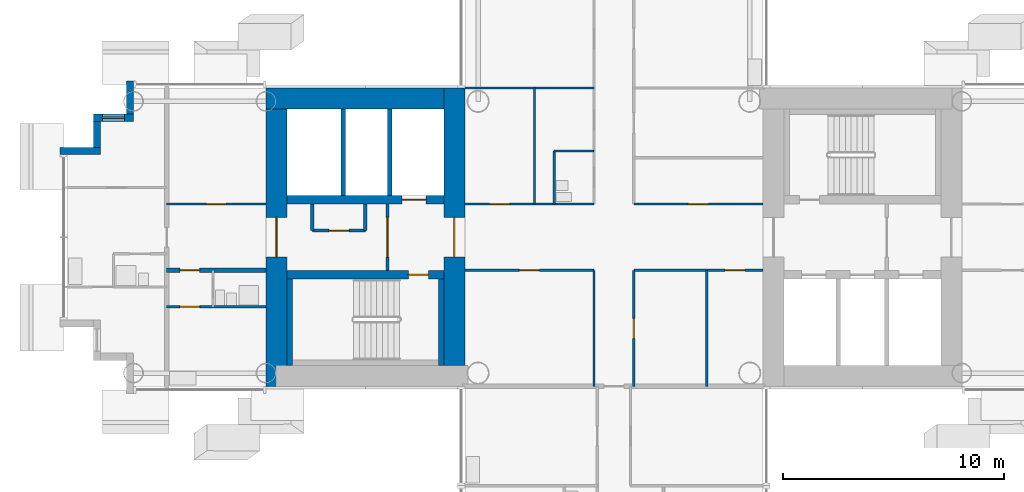
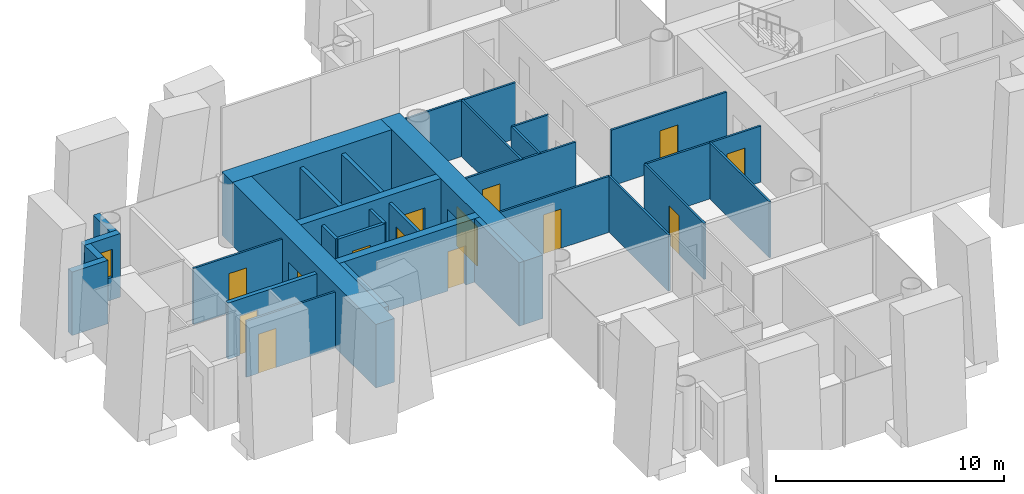
# One storey, part 9 of 21: 31 walls, 14 doors, 1 window, 15 openings.
"""IFC4 building model written with IfcOpenShell, lengths in metres."""

from ifc_helpers import new_model, si_unit, direction, frame, frame_2d, origin, place, context, subcontext, project, spatial, rectangle, extrude, material, layer, layer_set, type_object, element, fill, save


model = new_model("IFC4")

# Units and contexts
model_context = context("Model", 3, precision=1e-05, world=origin(), true_north=direction((0.0, 1.0)))
body_context = subcontext(model_context, "Body", "Model", "MODEL_VIEW")
ifc_project = project(units=[si_unit("LENGTHUNIT", "METRE"), si_unit("AREAUNIT", "SQUARE_METRE"), si_unit("VOLUMEUNIT", "CUBIC_METRE"), si_unit("PLANEANGLEUNIT", "RADIAN"), si_unit("MASSUNIT", "GRAM", prefix="KILO")], contexts=[model_context])

# Site, building, storey
site_placement = place(None, origin())
site = spatial("IfcSite", under=ifc_project, at=site_placement, CompositionType="ELEMENT")
building_placement = place(site_placement, origin())
building = spatial("IfcBuilding", under=site, at=building_placement, Name="Ipe Terrace Towers", CompositionType="ELEMENT")
storey_placement = place(building_placement, frame((0.0, 0.0, 86.800048828125)))
storey = spatial("IfcBuildingStorey", under=building, at=storey_placement, Name="L23", CompositionType="ELEMENT", Elevation=86.800048828125)

# Wall
ifc_material_1 = material(Name="Concrete C40/50 with buff precast cladding", Category="concrete")
ifc_layer_1 = layer(ifc_material_1, 0.320068359375)
ifc_layer_set_1 = layer_set([ifc_layer_1], Name="BUFF CLADDING WALL 320")
wall_type_1 = type_object("IfcWallType", Name="BUFF CLADDING WALL 320", PredefinedType="STANDARD", material=ifc_layer_set_1)
wall_1_placement = place(storey_placement, frame((-57.909912109375, 7.070068359375, -0.300048828125), z_axis=(0.0, 0.0, 1.0), x_axis=(0.0, -1.0, 0.0)))
element("IfcWall", 1, at=wall_1_placement, inside=storey, type_object=wall_type_1, Name="T1-W-L23-47a wall", PredefinedType="STANDARD", context=body_context, shape_type="SweptSolid", body=[
    extrude(rectangle(XDim=1.5, YDim=0.320068359375, at=frame_2d((0.75, 0.0))), origin(), (0.0, 0.0, 1.0), 3.39990234375),
])

# Wall, opening, window
wall_2_placement = place(storey_placement, frame((-57.75, 5.409912109375, -0.300048828125), z_axis=(0.0, 0.0, 1.0), x_axis=(-1.0, 0.0, 0.0)))
wall_2 = element("IfcWall", 2, at=wall_2_placement, inside=storey, type_object=wall_type_1, Name="T1-W-L23-48a wall", PredefinedType="STANDARD", context=body_context, shape_type="SweptSolid", body=[
    extrude(rectangle(XDim=1.820068359375, YDim=0.320068359375, at=frame_2d((0.91015625, 0.0))), origin(), (0.0, 0.0, 1.0), 3.39990234375),
])
opening_1_placement = place(wall_2_placement, frame((0.409912109375, 0.0, 1.199951171875)))
opening_1 = element("IfcOpeningElement", 3, at=opening_1_placement, cuts=wall_2, Name="Opening T1-W-05-L23-04", PredefinedType="OPENING", context=body_context, shape_type="SweptSolid", body=[
    extrude(rectangle(XDim=1.0, YDim=1.5, at=frame_2d((0.5, 0.75))), frame((0.0, 0.169921875, 0.0), z_axis=(0.0, -1.0, 0.0), x_axis=(1.0, 0.0, 0.0)), (0.0, 0.0, 1.0), 0.340087890625),
])
ifc_material_2 = material(Name="Glass, clear laminated", Category="glass")
window_type = type_object("IfcWindowType", Name="DWELLING WINDOW 1000 x 1500", PartitioningType="SINGLE_PANEL", PredefinedType="WINDOW", material=ifc_material_2)
window_placement = place(opening_1_placement, origin())
window = element("IfcWindow", 4, at=window_placement, inside=storey, type_object=window_type, Name="W-05 window", OverallHeight=1.5, OverallWidth=1.0, PartitioningType="SINGLE_PANEL", PredefinedType="WINDOW", context=body_context, shape_type="SweptSolid", body=[
    extrude(rectangle(XDim=1.0, YDim=1.5, at=frame_2d((0.5, 0.75))), frame((0.0, 0.030029296875, 0.0), z_axis=(0.0, -1.0, 0.0), x_axis=(1.0, 0.0, 0.0)), (0.0, 0.0, 1.0), 0.06005859375),
])
fill(opening_1, window)

# Walls
wall_3_placement = place(storey_placement, frame((-59.409912109375, 5.25, -0.300048828125), z_axis=(0.0, 0.0, 1.0), x_axis=(0.0, -1.0, 0.0)))
element("IfcWall", 5, at=wall_3_placement, inside=storey, type_object=wall_type_1, Name="T1-W-L23-49a wall", PredefinedType="STANDARD", context=body_context, shape_type="SweptSolid", body=[
    extrude(rectangle(XDim=1.179931640625, YDim=0.320068359375, at=frame_2d((0.58984375, 0.0))), origin(), (0.0, 0.0, 1.0), 3.39990234375),
])
wall_4_placement = place(storey_placement, frame((-59.25, 3.909912109375, -0.300048828125), z_axis=(0.0, 0.0, 1.0), x_axis=(-1.0, 0.0, 0.0)))
element("IfcWall", 6, at=wall_4_placement, inside=storey, type_object=wall_type_1, Name="T1-W-L23-50a wall", PredefinedType="STANDARD", context=body_context, shape_type="SweptSolid", body=[
    extrude(rectangle(XDim=1.820068359375, YDim=0.320068359375, at=frame_2d((0.91015625, 0.0))), origin(), (0.0, 0.0, 1.0), 3.39990234375),
])
ifc_material_3 = material(Name="Gypsum board partition", Category="plasterboard")
ifc_layer_2 = layer(ifc_material_3, 0.10009765625)
ifc_layer_set_2 = layer_set([ifc_layer_2], Name="Gypsum board partition 100 mm")
wall_type_2 = type_object("IfcWallType", Name="Gypsum board partition 100 mm", PredefinedType="PARTITIONING", material=ifc_layer_set_2)
wall_5_placement = place(storey_placement, frame((-39.60009765625, 1.5, 0.0), z_axis=(0.0, 0.0, 1.0), x_axis=(0.0, 1.0, 0.0)))
element("IfcWall", 7, at=wall_5_placement, inside=storey, type_object=wall_type_2, Name="Gypsum board partition T1 L23 W04", PredefinedType="PARTITIONING", context=body_context, shape_type="SweptSolid", body=[
    extrude(rectangle(XDim=5.25, YDim=0.10009765625, at=frame_2d((2.625, 0.0))), origin(), (0.0, 0.0, 1.0), 3.0),
])
wall_6_placement = place(storey_placement, frame((-38.699951171875, 1.5, 0.0), z_axis=(0.0, 0.0, 1.0), x_axis=(0.0, 1.0, 0.0)))
element("IfcWall", 8, at=wall_6_placement, inside=storey, type_object=wall_type_2, Name="Gypsum board partition T1 L23 W05", PredefinedType="PARTITIONING", context=body_context, shape_type="SweptSolid", body=[
    extrude(rectangle(XDim=2.39990234375, YDim=0.10009765625, at=frame_2d((1.199951171875, 0.0))), origin(), (0.0, 0.0, 1.0), 3.0),
])
wall_7_placement = place(storey_placement, frame((-36.89990234375, -6.75, 0.0), z_axis=(0.0, 0.0, 1.0), x_axis=(0.0, 1.0, 0.0)))
element("IfcWall", 9, at=wall_7_placement, inside=storey, type_object=wall_type_2, Name="Gypsum board partition T1 L23 W07", PredefinedType="PARTITIONING", context=body_context, shape_type="SweptSolid", body=[
    extrude(rectangle(XDim=5.25, YDim=0.10009765625, at=frame_2d((2.625, 0.0))), origin(), (0.0, 0.0, 1.0), 3.0),
])

# Wall, opening, door
wall_8_placement = place(storey_placement, frame((-35.10009765625, -6.75, 0.0), z_axis=(0.0, 0.0, 1.0), x_axis=(0.0, 1.0, 0.0)))
wall_8 = element("IfcWall", 10, at=wall_8_placement, inside=storey, type_object=wall_type_2, Name="Gypsum board partition T1 L23 W11", PredefinedType="PARTITIONING", context=body_context, shape_type="SweptSolid", body=[
    extrude(rectangle(XDim=5.25, YDim=0.10009765625, at=frame_2d((2.625, 0.0))), origin(), (0.0, 0.0, 1.0), 3.0),
])
opening_2_placement = place(wall_8_placement, frame((2.175048828125, 0.0, 0.0)))
opening_2 = element("IfcOpeningElement", 11, at=opening_2_placement, cuts=wall_8, Name="Opening T1-Z2C-07", PredefinedType="OPENING", context=body_context, shape_type="SweptSolid", body=[
    extrude(rectangle(XDim=0.89990234375, YDim=2.10009765625, at=frame_2d((0.449951171875, 1.050048828125))), frame((0.0, 0.06005859375, 0.0), z_axis=(0.0, -1.0, 0.0), x_axis=(1.0, 0.0, 0.0)), (0.0, 0.0, 1.0), 0.1201171875),
])
ifc_material_4 = material(Name="Timber door leaf", Category="wood")
door_type_1 = type_object("IfcDoorType", Name="Lounge door 900 x 2100", OperationType="NOTDEFINED", PredefinedType="DOOR", material=ifc_material_4)
door_1_placement = place(opening_2_placement, origin())
door_1 = element("IfcDoor", 12, at=door_1_placement, inside=storey, type_object=door_type_1, Name="Lounge door T1-Z2C-07", OperationType="SINGLE_SWING_RIGHT", OverallHeight=2.10009765625, OverallWidth=0.89990234375, PredefinedType="DOOR", context=body_context, shape_type="SweptSolid", body=[
    extrude(rectangle(XDim=0.89990234375, YDim=2.10009765625, at=frame_2d((0.449951171875, 1.050048828125))), frame((0.0, 0.02490234375, 0.0), z_axis=(0.0, -1.0, 0.0), x_axis=(1.0, 0.0, 0.0)), (0.0, 0.0, 1.0), 0.050048828125),
])
fill(opening_2, door_1)

# Wall
wall_9_placement = place(storey_placement, frame((-31.800048828125, -6.75, 0.0), z_axis=(0.0, 0.0, 1.0), x_axis=(0.0, 1.0, 0.0)))
element("IfcWall", 13, at=wall_9_placement, inside=storey, type_object=wall_type_2, Name="Gypsum board partition T1 L23 W14", PredefinedType="PARTITIONING", context=body_context, shape_type="SweptSolid", body=[
    extrude(rectangle(XDim=5.25, YDim=0.10009765625, at=frame_2d((2.625, 0.0))), origin(), (0.0, 0.0, 1.0), 3.0),
])

# Wall, opening, door
wall_10_placement = place(storey_placement, frame((-56.25, -3.14990234375, 0.0), z_axis=(0.0, 0.0, 1.0), x_axis=(1.0, 0.0, 0.0)))
wall_10 = element("IfcWall", 14, at=wall_10_placement, inside=storey, type_object=wall_type_2, Name="Gypsum board partition T1 L23 W22", PredefinedType="PARTITIONING", context=body_context, shape_type="SweptSolid", body=[
    extrude(rectangle(XDim=4.5, YDim=0.10009765625, at=frame_2d((2.25, 0.0))), origin(), (0.0, 0.0, 1.0), 3.0),
])
opening_3_placement = place(wall_10_placement, frame((0.60009765625, 0.0, 0.0)))
opening_3 = element("IfcOpeningElement", 15, at=opening_3_placement, cuts=wall_10, Name="Opening T1-Z2C-26", PredefinedType="OPENING", context=body_context, shape_type="SweptSolid", body=[
    extrude(rectangle(XDim=0.89990234375, YDim=2.10009765625, at=frame_2d((0.449951171875, 1.050048828125))), frame((0.0, 0.06005859375, 0.0), z_axis=(0.0, -1.0, 0.0), x_axis=(1.0, 0.0, 0.0)), (0.0, 0.0, 1.0), 0.1201171875),
])
ifc_material_5 = material(Name="Timber door leaf", Category="wood")
door_type_2 = type_object("IfcDoorType", Name="Bedroom door 900 x 2100", OperationType="NOTDEFINED", PredefinedType="DOOR", material=ifc_material_5)
door_2_placement = place(opening_3_placement, origin())
door_2 = element("IfcDoor", 16, at=door_2_placement, inside=storey, type_object=door_type_2, Name="Bedroom door T1-Z2C-26", OperationType="SINGLE_SWING_LEFT", OverallHeight=2.10009765625, OverallWidth=0.89990234375, PredefinedType="DOOR", context=body_context, shape_type="SweptSolid", body=[
    extrude(rectangle(XDim=0.89990234375, YDim=2.10009765625, at=frame_2d((0.449951171875, 1.050048828125))), frame((0.0, 0.02490234375, 0.0), z_axis=(0.0, -1.0, 0.0), x_axis=(1.0, 0.0, 0.0)), (0.0, 0.0, 1.0), 0.050048828125),
])
fill(opening_3, door_2)

wall_11_placement = place(storey_placement, frame((-42.75, -1.5, 0.0), z_axis=(0.0, 0.0, 1.0), x_axis=(1.0, 0.0, 0.0)))
wall_11 = element("IfcWall", 17, at=wall_11_placement, inside=storey, type_object=wall_type_2, Name="Gypsum board partition T1 L23 W24", PredefinedType="PARTITIONING", context=body_context, shape_type="SweptSolid", body=[
    extrude(rectangle(XDim=5.85009765625, YDim=0.10009765625, at=frame_2d((2.925048828125, 0.0))), origin(), (0.0, 0.0, 1.0), 3.0),
])
opening_4_placement = place(wall_11_placement, frame((2.47509765625, 0.0, 0.0)))
opening_4 = element("IfcOpeningElement", 18, at=opening_4_placement, cuts=wall_11, Name="Opening T1-Z2C-06", PredefinedType="OPENING", context=body_context, shape_type="SweptSolid", body=[
    extrude(rectangle(XDim=0.89990234375, YDim=2.10009765625, at=frame_2d((0.449951171875, 1.050048828125))), frame((0.0, 0.06005859375, 0.0), z_axis=(0.0, -1.0, 0.0), x_axis=(1.0, 0.0, 0.0)), (0.0, 0.0, 1.0), 0.1201171875),
])
door_3_placement = place(opening_4_placement, origin())
door_3 = element("IfcDoor", 19, at=door_3_placement, inside=storey, type_object=door_type_1, Name="Lounge door T1-Z2C-06", OperationType="SINGLE_SWING_LEFT", OverallHeight=2.10009765625, OverallWidth=0.89990234375, PredefinedType="DOOR", context=body_context, shape_type="SweptSolid", body=[
    extrude(rectangle(XDim=0.89990234375, YDim=2.10009765625, at=frame_2d((0.449951171875, 1.050048828125))), frame((0.0, 0.02490234375, 0.0), z_axis=(0.0, -1.0, 0.0), x_axis=(1.0, 0.0, 0.0)), (0.0, 0.0, 1.0), 0.050048828125),
])
fill(opening_4, door_3)

wall_12_placement = place(storey_placement, frame((-35.10009765625, -1.5, 0.0), z_axis=(0.0, 0.0, 1.0), x_axis=(1.0, 0.0, 0.0)))
wall_12 = element("IfcWall", 20, at=wall_12_placement, inside=storey, type_object=wall_type_2, Name="Gypsum board partition T1 L23 W25", PredefinedType="PARTITIONING", context=body_context, shape_type="SweptSolid", body=[
    extrude(rectangle(XDim=5.85009765625, YDim=0.10009765625, at=frame_2d((2.925048828125, 0.0))), origin(), (0.0, 0.0, 1.0), 3.0),
])
opening_5_placement = place(wall_12_placement, frame((4.125, 0.0, 0.0)))
opening_5 = element("IfcOpeningElement", 21, at=opening_5_placement, cuts=wall_12, Name="Opening T1-Z2C-08", PredefinedType="OPENING", context=body_context, shape_type="SweptSolid", body=[
    extrude(rectangle(XDim=0.89990234375, YDim=2.10009765625, at=frame_2d((0.449951171875, 1.050048828125))), frame((0.0, 0.06005859375, 0.0), z_axis=(0.0, -1.0, 0.0), x_axis=(1.0, 0.0, 0.0)), (0.0, 0.0, 1.0), 0.1201171875),
])
door_4_placement = place(opening_5_placement, origin())
door_4 = element("IfcDoor", 22, at=door_4_placement, inside=storey, type_object=door_type_1, Name="Lounge door T1-Z2C-08", OperationType="SINGLE_SWING_RIGHT", OverallHeight=2.10009765625, OverallWidth=0.89990234375, PredefinedType="DOOR", context=body_context, shape_type="SweptSolid", body=[
    extrude(rectangle(XDim=0.89990234375, YDim=2.10009765625, at=frame_2d((0.449951171875, 1.050048828125))), frame((0.0, 0.02490234375, 0.0), z_axis=(0.0, -1.0, 0.0), x_axis=(1.0, 0.0, 0.0)), (0.0, 0.0, 1.0), 0.050048828125),
])
fill(opening_5, door_4)

wall_13_placement = place(storey_placement, frame((-56.25, 1.5, 0.0), z_axis=(0.0, 0.0, 1.0), x_axis=(1.0, 0.0, 0.0)))
wall_13 = element("IfcWall", 23, at=wall_13_placement, inside=storey, type_object=wall_type_2, Name="Gypsum board partition T1 L23 W29", PredefinedType="PARTITIONING", context=body_context, shape_type="SweptSolid", body=[
    extrude(rectangle(XDim=4.5, YDim=0.10009765625, at=frame_2d((2.25, 0.0))), origin(), (0.0, 0.0, 1.0), 3.0),
])
opening_6_placement = place(wall_13_placement, frame((1.800048828125, 0.0, 0.0)))
opening_6 = element("IfcOpeningElement", 24, at=opening_6_placement, cuts=wall_13, Name="Opening T1-Z2C-28", PredefinedType="OPENING", context=body_context, shape_type="SweptSolid", body=[
    extrude(rectangle(XDim=0.89990234375, YDim=2.10009765625, at=frame_2d((0.449951171875, 1.050048828125))), frame((0.0, 0.06005859375, 0.0), z_axis=(0.0, -1.0, 0.0), x_axis=(1.0, 0.0, 0.0)), (0.0, 0.0, 1.0), 0.1201171875),
])
door_5_placement = place(opening_6_placement, origin())
door_5 = element("IfcDoor", 25, at=door_5_placement, inside=storey, type_object=door_type_1, Name="Lounge door T1-Z2C-28", OperationType="SINGLE_SWING_LEFT", OverallHeight=2.10009765625, OverallWidth=0.89990234375, PredefinedType="DOOR", context=body_context, shape_type="SweptSolid", body=[
    extrude(rectangle(XDim=0.89990234375, YDim=2.10009765625, at=frame_2d((0.449951171875, 1.050048828125))), frame((0.0, 0.02490234375, 0.0), z_axis=(0.0, -1.0, 0.0), x_axis=(1.0, 0.0, 0.0)), (0.0, 0.0, 1.0), 0.050048828125),
])
fill(opening_6, door_5)

wall_14_placement = place(storey_placement, frame((-42.75, 1.5, 0.0), z_axis=(0.0, 0.0, 1.0), x_axis=(1.0, 0.0, 0.0)))
wall_14 = element("IfcWall", 26, at=wall_14_placement, inside=storey, type_object=wall_type_2, Name="Gypsum board partition T1 L23 W30", PredefinedType="PARTITIONING", context=body_context, shape_type="SweptSolid", body=[
    extrude(rectangle(XDim=5.85009765625, YDim=0.10009765625, at=frame_2d((2.925048828125, 0.0))), origin(), (0.0, 0.0, 1.0), 3.0),
])
opening_7_placement = place(wall_14_placement, frame((1.125, 0.0, 0.0)))
opening_7 = element("IfcOpeningElement", 27, at=opening_7_placement, cuts=wall_14, Name="Opening T1-Z2C-05", PredefinedType="OPENING", context=body_context, shape_type="SweptSolid", body=[
    extrude(rectangle(XDim=0.89990234375, YDim=2.10009765625, at=frame_2d((0.449951171875, 1.050048828125))), frame((0.0, 0.06005859375, 0.0), z_axis=(0.0, -1.0, 0.0), x_axis=(1.0, 0.0, 0.0)), (0.0, 0.0, 1.0), 0.1201171875),
])
door_6_placement = place(opening_7_placement, origin())
door_6 = element("IfcDoor", 28, at=door_6_placement, inside=storey, type_object=door_type_1, Name="Lounge door T1-Z2C-05", OperationType="SINGLE_SWING_RIGHT", OverallHeight=2.10009765625, OverallWidth=0.89990234375, PredefinedType="DOOR", context=body_context, shape_type="SweptSolid", body=[
    extrude(rectangle(XDim=0.89990234375, YDim=2.10009765625, at=frame_2d((0.449951171875, 1.050048828125))), frame((0.0, 0.02490234375, 0.0), z_axis=(0.0, -1.0, 0.0), x_axis=(1.0, 0.0, 0.0)), (0.0, 0.0, 1.0), 0.050048828125),
])
fill(opening_7, door_6)

wall_15_placement = place(storey_placement, frame((-35.10009765625, 1.5, 0.0), z_axis=(0.0, 0.0, 1.0), x_axis=(1.0, 0.0, 0.0)))
wall_15 = element("IfcWall", 29, at=wall_15_placement, inside=storey, type_object=wall_type_2, Name="Gypsum board partition T1 L23 W31", PredefinedType="PARTITIONING", context=body_context, shape_type="SweptSolid", body=[
    extrude(rectangle(XDim=5.85009765625, YDim=0.10009765625, at=frame_2d((2.925048828125, 0.0))), origin(), (0.0, 0.0, 1.0), 3.0),
])
opening_8_placement = place(wall_15_placement, frame((2.47509765625, 0.0, 0.0)))
opening_8 = element("IfcOpeningElement", 30, at=opening_8_placement, cuts=wall_15, Name="Opening T1-Z2C-02", PredefinedType="OPENING", context=body_context, shape_type="SweptSolid", body=[
    extrude(rectangle(XDim=0.89990234375, YDim=2.10009765625, at=frame_2d((0.449951171875, 1.050048828125))), frame((0.0, 0.06005859375, 0.0), z_axis=(0.0, -1.0, 0.0), x_axis=(1.0, 0.0, 0.0)), (0.0, 0.0, 1.0), 0.1201171875),
])
door_7_placement = place(opening_8_placement, origin())
door_7 = element("IfcDoor", 31, at=door_7_placement, inside=storey, type_object=door_type_1, Name="Lounge door T1-Z2C-02", OperationType="SINGLE_SWING_LEFT", OverallHeight=2.10009765625, OverallWidth=0.89990234375, PredefinedType="DOOR", context=body_context, shape_type="SweptSolid", body=[
    extrude(rectangle(XDim=0.89990234375, YDim=2.10009765625, at=frame_2d((0.449951171875, 1.050048828125))), frame((0.0, 0.02490234375, 0.0), z_axis=(0.0, -1.0, 0.0), x_axis=(1.0, 0.0, 0.0)), (0.0, 0.0, 1.0), 0.050048828125),
])
fill(opening_8, door_7)

# Walls
wall_16_placement = place(storey_placement, frame((-38.699951171875, 3.89990234375, 0.0), z_axis=(0.0, 0.0, 1.0), x_axis=(1.0, 0.0, 0.0)))
element("IfcWall", 32, at=wall_16_placement, inside=storey, type_object=wall_type_2, Name="Gypsum board partition T1 L23 W35", PredefinedType="PARTITIONING", context=body_context, shape_type="SweptSolid", body=[
    extrude(rectangle(XDim=1.800048828125, YDim=0.10009765625, at=frame_2d((0.89990234375, 0.0))), origin(), (0.0, 0.0, 1.0), 3.0),
])
wall_17_placement = place(storey_placement, frame((-42.85009765625, 6.75, 0.0), z_axis=(0.0, 0.0, 1.0), x_axis=(1.0, 0.0, 0.0)))
element("IfcWall", 33, at=wall_17_placement, inside=storey, type_object=wall_type_2, Name="Gypsum board partition T1 L23 W36", PredefinedType="PARTITIONING", context=body_context, shape_type="SweptSolid", body=[
    extrude(rectangle(XDim=5.9501953125, YDim=0.10009765625, at=frame_2d((2.97509765625, 0.0))), origin(), (0.0, 0.0, 1.0), 3.0),
])

# Wall, opening, door
ifc_material_6 = material(Name="Gypsum board partition", Category="plasterboard")
ifc_layer_3 = layer(ifc_material_6, 0.14990234375)
ifc_layer_set_3 = layer_set([ifc_layer_3], Name="Gypsum board partition 150 mm")
wall_type_3 = type_object("IfcWallType", Name="Gypsum board partition 150 mm", PredefinedType="PARTITIONING", material=ifc_layer_set_3)
wall_18_placement = place(storey_placement, frame((-46.25, 1.5, 0.0), z_axis=(0.0, 0.0, 1.0), x_axis=(0.0, -1.0, 0.0)))
wall_18 = element("IfcWall", 34, at=wall_18_placement, inside=storey, type_object=wall_type_3, Name="Gypsum board partition T1 L23 t1c2-lobby-wall", PredefinedType="PARTITIONING", context=body_context, shape_type="SweptSolid", body=[
    extrude(rectangle(XDim=3.0, YDim=0.14990234375, at=frame_2d((1.5, 0.0))), origin(), (0.0, 0.0, 1.0), 3.0),
])
opening_9_placement = place(wall_18_placement, frame((0.60009765625, 0.0, 0.0)))
opening_9 = element("IfcOpeningElement", 35, at=opening_9_placement, cuts=wall_18, Name="Opening T1C2-VD", PredefinedType="OPENING", context=body_context, shape_type="SweptSolid", body=[
    extrude(rectangle(XDim=1.800048828125, YDim=2.10009765625, at=frame_2d((0.89990234375, 1.050048828125))), frame((0.0, 0.0849609375, 0.0), z_axis=(0.0, -1.0, 0.0), x_axis=(1.0, 0.0, 0.0)), (0.0, 0.0, 1.0), 0.169921875),
])
ifc_material_7 = material(Name="Fire-rated timber door leaf", Category="wood")
door_type_3 = type_object("IfcDoorType", Name="Lobby door 1800 x 2100 FD60", OperationType="NOTDEFINED", PredefinedType="DOOR", material=ifc_material_7)
door_8_placement = place(opening_9_placement, origin())
door_8 = element("IfcDoor", 36, at=door_8_placement, inside=storey, type_object=door_type_3, Name="Lobby door T1C2-VD", OperationType="SINGLE_SWING_LEFT", OverallHeight=2.10009765625, OverallWidth=1.800048828125, PredefinedType="DOOR", context=body_context, shape_type="SweptSolid", body=[
    extrude(rectangle(XDim=1.800048828125, YDim=2.10009765625, at=frame_2d((0.89990234375, 1.050048828125))), frame((0.0, 0.02490234375, 0.0), z_axis=(0.0, -1.0, 0.0), x_axis=(1.0, 0.0, 0.0)), (0.0, 0.0, 1.0), 0.050048828125),
])
fill(opening_9, door_8)

wall_19_placement = place(storey_placement, frame((-47.25, 0.300048828125, 0.0), z_axis=(0.0, 0.0, 1.0), x_axis=(-1.0, 0.0, 0.0)))
wall_19 = element("IfcWall", 37, at=wall_19_placement, inside=storey, type_object=wall_type_3, Name="Gypsum board partition T1 L23 t1c2-cup-s-f", PredefinedType="PARTITIONING", context=body_context, shape_type="SweptSolid", body=[
    extrude(rectangle(XDim=2.39990234375, YDim=0.14990234375, at=frame_2d((1.199951171875, 0.0))), origin(), (0.0, 0.0, 1.0), 3.0),
])
opening_10_placement = place(wall_19_placement, frame((0.75, 0.0, 0.0)))
opening_10 = element("IfcOpeningElement", 38, at=opening_10_placement, cuts=wall_19, Name="Opening T1C2-SC", PredefinedType="OPENING", context=body_context, shape_type="SweptSolid", body=[
    extrude(rectangle(XDim=0.89990234375, YDim=2.10009765625, at=frame_2d((0.449951171875, 1.050048828125))), frame((0.0, 0.0849609375, 0.0), z_axis=(0.0, -1.0, 0.0), x_axis=(1.0, 0.0, 0.0)), (0.0, 0.0, 1.0), 0.169921875),
])
ifc_material_8 = material(Name="Fire-rated timber door leaf", Category="wood")
door_type_4 = type_object("IfcDoorType", Name="Service door 900 x 2100 FD30S", OperationType="NOTDEFINED", PredefinedType="DOOR", material=ifc_material_8)
door_9_placement = place(opening_10_placement, origin())
door_9 = element("IfcDoor", 39, at=door_9_placement, inside=storey, type_object=door_type_4, Name="Service door T1C2-SC", OperationType="SINGLE_SWING_LEFT", OverallHeight=2.10009765625, OverallWidth=0.89990234375, PredefinedType="DOOR", context=body_context, shape_type="SweptSolid", body=[
    extrude(rectangle(XDim=0.89990234375, YDim=2.10009765625, at=frame_2d((0.449951171875, 1.050048828125))), frame((0.0, 0.02490234375, 0.0), z_axis=(0.0, -1.0, 0.0), x_axis=(1.0, 0.0, 0.0)), (0.0, 0.0, 1.0), 0.050048828125),
])
fill(opening_10, door_9)

# Walls
for number, where, z_axis, x_axis, name in (
    (40, (-47.25, 0.300048828125, 0.0), (0.0, 0.0, 1.0), (0.0, 1.0, 0.0), "Gypsum board partition T1 L23 t1c2-cup-s-a"),
    (41, (-49.64990234375, 0.300048828125, 0.0), (0.0, 0.0, 1.0), (0.0, 1.0, 0.0), "Gypsum board partition T1 L23 t1c2-cup-s-b"),
):
    element("IfcWall", number, at=place(storey_placement, frame(where, z_axis=z_axis, x_axis=x_axis)), inside=storey, type_object=wall_type_3, Name=name, PredefinedType="PARTITIONING", context=body_context, shape_type="SweptSolid", body=[
        extrude(rectangle(XDim=1.199951171875, YDim=0.14990234375, at=frame_2d((0.60009765625, 0.0))), origin(), (0.0, 0.0, 1.0), 3.0),
    ])
ifc_material_9 = material(Name="Gypsum board party wall", Category="plasterboard")
ifc_layer_4 = layer(ifc_material_9, 0.199951171875)
ifc_layer_set_4 = layer_set([ifc_layer_4], Name="Gypsum board party wall 200 mm")
wall_type_4 = type_object("IfcWallType", Name="Gypsum board party wall 200 mm", PredefinedType="SOLIDWALL", material=ifc_layer_set_4)
for number, where, z_axis, x_axis, name in (
    (42, (-46.14990234375, 5.800048828125, 0.0), (0.0, 0.0, 1.0), (0.0, -1.0, 0.0), "Gypsum board party wall T1 L23 t1c2-shaft-div1"),
    (43, (-48.25, 5.800048828125, 0.0), (0.0, 0.0, 1.0), (0.0, -1.0, 0.0), "Gypsum board party wall T1 L23 t1c2-shaft-div2"),
):
    element("IfcWall", number, at=place(storey_placement, frame(where, z_axis=z_axis, x_axis=x_axis)), inside=storey, type_object=wall_type_4, Name=name, PredefinedType="SOLIDWALL", context=body_context, shape_type="SweptSolid", body=[
        extrude(rectangle(XDim=3.900146484375, YDim=0.199951171875, at=frame_2d((1.9501953125, 0.0))), origin(), (0.0, 0.0, 1.0), 3.0),
    ])

# Wall, opening, door
wall_20_placement = place(storey_placement, frame((-56.25, -1.5, 0.0), z_axis=(0.0, 0.0, 1.0), x_axis=(1.0, 0.0, 0.0)))
wall_20 = element("IfcWall", 44, at=wall_20_placement, inside=storey, type_object=wall_type_4, Name="Gypsum board party wall T1 L23 W27", PredefinedType="SOLIDWALL", context=body_context, shape_type="SweptSolid", body=[
    extrude(rectangle(XDim=4.5, YDim=0.199951171875, at=frame_2d((2.25, 0.0))), origin(), (0.0, 0.0, 1.0), 3.0),
])
opening_11_placement = place(wall_20_placement, frame((0.60009765625, 0.0, 0.0)))
opening_11 = element("IfcOpeningElement", 45, at=opening_11_placement, cuts=wall_20, Name="Opening T1-Z2C-25", PredefinedType="OPENING", context=body_context, shape_type="SweptSolid", body=[
    extrude(rectangle(XDim=0.89990234375, YDim=2.10009765625, at=frame_2d((0.449951171875, 1.050048828125))), frame((0.0, 0.10986328125, 0.0), z_axis=(0.0, -1.0, 0.0), x_axis=(1.0, 0.0, 0.0)), (0.0, 0.0, 1.0), 0.219970703125),
])
ifc_material_10 = material(Name="Fire-rated timber door leaf", Category="wood")
door_type_5 = type_object("IfcDoorType", Name="Flat entrance door 900 x 2100 FD30S", OperationType="NOTDEFINED", PredefinedType="DOOR", material=ifc_material_10)
door_10_placement = place(opening_11_placement, origin())
door_10 = element("IfcDoor", 46, at=door_10_placement, inside=storey, type_object=door_type_5, Name="Flat entrance door T1-Z2C-25", OperationType="SINGLE_SWING_LEFT", OverallHeight=2.10009765625, OverallWidth=0.89990234375, PredefinedType="DOOR", context=body_context, shape_type="SweptSolid", body=[
    extrude(rectangle(XDim=0.89990234375, YDim=2.10009765625, at=frame_2d((0.449951171875, 1.050048828125))), frame((0.0, 0.02490234375, 0.0), z_axis=(0.0, -1.0, 0.0), x_axis=(1.0, 0.0, 0.0)), (0.0, 0.0, 1.0), 0.050048828125),
])
fill(opening_11, door_10)

# Walls
ifc_material_11 = material(Name="Concrete C50/60", Category="concrete")
ifc_layer_5 = layer(ifc_material_11, 0.25)
ifc_layer_set_5 = layer_set([ifc_layer_5], Name="RW250 CORE INFILL WALL 250 C50-60")
wall_type_5 = type_object("IfcWallType", Name="RW250 CORE INFILL WALL 250 C50-60", PredefinedType="SHEAR", material=ifc_layer_set_5)
for number, where, z_axis, x_axis, name in (
    (47, (-50.675048828125, -1.89990234375, 0.0), (0.0, 0.0, 1.0), (0.0, -1.0, 0.0), "Core infill wall T1-C2-far"),
    (48, (-43.824951171875, -1.89990234375, 0.0), (0.0, 0.0, 1.0), (0.0, -1.0, 0.0), "Core infill wall T1-C2-near"),
):
    element("IfcWall", number, at=place(storey_placement, frame(where, z_axis=z_axis, x_axis=x_axis)), inside=storey, type_object=wall_type_5, Name=name, PredefinedType="SHEAR", context=body_context, shape_type="SweptSolid", body=[
        extrude(rectangle(XDim=3.900146484375, YDim=0.25, at=frame_2d((1.9501953125, 0.0))), origin(), (0.0, 0.0, 1.0), 3.39990234375),
    ])

# Wall, opening, door
ifc_material_12 = material(Name="Concrete C50/60", Category="concrete")
ifc_layer_6 = layer(ifc_material_12, 0.39990234375)
ifc_layer_set_6 = layer_set([ifc_layer_6], Name="RW400 CORE SPINE WALL 400 C50-60")
wall_type_6 = type_object("IfcWallType", Name="RW400 CORE SPINE WALL 400 C50-60", PredefinedType="SHEAR", material=ifc_layer_set_6)
wall_21_placement = place(storey_placement, frame((-50.800048828125, -1.699951171875, 0.0), z_axis=(0.0, 0.0, 1.0), x_axis=(1.0, 0.0, 0.0)))
wall_21 = element("IfcWall", 49, at=wall_21_placement, inside=storey, type_object=wall_type_6, Name="Core spine wall T1-C2-Z2-SW1", PredefinedType="SHEAR", context=body_context, shape_type="SweptSolid", body=[
    extrude(rectangle(XDim=7.10009765625, YDim=0.39990234375, at=frame_2d((3.550048828125, 0.0))), origin(), (0.0, 0.0, 1.0), 3.39990234375),
])
opening_12_placement = place(wall_21_placement, frame((5.5, 0.0, 0.0)))
opening_12 = element("IfcOpeningElement", 50, at=opening_12_placement, cuts=wall_21, Name="Opening T1C2-SD", PredefinedType="OPENING", context=body_context, shape_type="SweptSolid", body=[
    extrude(rectangle(XDim=0.89990234375, YDim=2.10009765625, at=frame_2d((0.449951171875, 1.050048828125))), frame((0.0, 0.2099609375, 0.0), z_axis=(0.0, -1.0, 0.0), x_axis=(1.0, 0.0, 0.0)), (0.0, 0.0, 1.0), 0.419921875),
])
ifc_material_13 = material(Name="Fire-rated timber door leaf", Category="wood")
door_type_6 = type_object("IfcDoorType", Name="Stair door 900 x 2100 FD60", OperationType="NOTDEFINED", PredefinedType="DOOR", material=ifc_material_13)
door_11_placement = place(opening_12_placement, origin())
door_11 = element("IfcDoor", 51, at=door_11_placement, inside=storey, type_object=door_type_6, Name="Stair door T1C2-SD", OperationType="SINGLE_SWING_RIGHT", OverallHeight=2.10009765625, OverallWidth=0.89990234375, PredefinedType="DOOR", context=body_context, shape_type="SweptSolid", body=[
    extrude(rectangle(XDim=0.89990234375, YDim=2.10009765625, at=frame_2d((0.449951171875, 1.050048828125))), frame((0.0, 0.02490234375, 0.0), z_axis=(0.0, -1.0, 0.0), x_axis=(1.0, 0.0, 0.0)), (0.0, 0.0, 1.0), 0.050048828125),
])
fill(opening_12, door_11)

wall_22_placement = place(storey_placement, frame((-50.800048828125, 1.699951171875, 0.0), z_axis=(0.0, 0.0, 1.0), x_axis=(1.0, 0.0, 0.0)))
wall_22 = element("IfcWall", 52, at=wall_22_placement, inside=storey, type_object=wall_type_6, Name="Core spine wall T1-C2-Z2-SW2", PredefinedType="SHEAR", context=body_context, shape_type="SweptSolid", body=[
    extrude(rectangle(XDim=7.10009765625, YDim=0.39990234375, at=frame_2d((3.550048828125, 0.0))), origin(), (0.0, 0.0, 1.0), 3.39990234375),
])
opening_13_placement = place(wall_22_placement, frame((5.199951171875, 0.0, 0.0)))
opening_13 = element("IfcOpeningElement", 53, at=opening_13_placement, cuts=wall_22, Name="Opening T1C2-LD1", PredefinedType="OPENING", context=body_context, shape_type="SweptSolid", body=[
    extrude(rectangle(XDim=1.10009765625, YDim=2.10009765625, at=frame_2d((0.550048828125, 1.050048828125))), frame((0.0, 0.2099609375, 0.0), z_axis=(0.0, -1.0, 0.0), x_axis=(1.0, 0.0, 0.0)), (0.0, 0.0, 1.0), 0.419921875),
])
ifc_material_14 = material(Name="Fire-rated timber door leaf", Category="wood")
door_type_7 = type_object("IfcDoorType", Name="Sliding door 1100 x 2100 FD60", OperationType="SLIDING_TO_LEFT", PredefinedType="DOOR", material=ifc_material_14)
door_12_placement = place(opening_13_placement, origin())
door_12 = element("IfcDoor", 54, at=door_12_placement, inside=storey, type_object=door_type_7, Name="Sliding door T1C2-LD1", OperationType="SLIDING_TO_LEFT", OverallHeight=2.10009765625, OverallWidth=1.10009765625, PredefinedType="DOOR", context=body_context, shape_type="SweptSolid", body=[
    extrude(rectangle(XDim=1.10009765625, YDim=2.10009765625, at=frame_2d((0.550048828125, 1.050048828125))), frame((0.0, 0.02490234375, 0.0), z_axis=(0.0, -1.0, 0.0), x_axis=(1.0, 0.0, 0.0)), (0.0, 0.0, 1.0), 0.050048828125),
])
fill(opening_13, door_12)

ifc_material_15 = material(Name="Concrete C50/60", Category="concrete")
ifc_layer_7 = layer(ifc_material_15, 0.949951171875)
ifc_layer_set_7 = layer_set([ifc_layer_7], Name="RW950 CORE WALL 950 C50-60")
wall_type_7 = type_object("IfcWallType", Name="RW950 CORE WALL 950 C50-60", PredefinedType="SHEAR", material=ifc_layer_set_7)
wall_23_placement = place(storey_placement, frame((-43.22509765625, -5.800048828125, 0.0), z_axis=(0.0, 0.0, 1.0), x_axis=(0.0, 1.0, 0.0)))
wall_23 = element("IfcWall", 55, at=wall_23_placement, inside=storey, type_object=wall_type_7, Name="Core wall T1-C2-Z2-W02", PredefinedType="SHEAR", context=body_context, shape_type="SweptSolid", body=[
    extrude(rectangle(XDim=12.550048828125, YDim=0.949951171875, at=frame_2d((6.27490234375, 0.0))), origin(), (0.0, 0.0, 1.0), 3.39990234375),
])
opening_14_placement = place(wall_23_placement, frame((4.89990234375, 0.0, 0.0)))
opening_14 = element("IfcOpeningElement", 56, at=opening_14_placement, cuts=wall_23, Name="Opening T1C2-ND", PredefinedType="OPENING", context=body_context, shape_type="SweptSolid", body=[
    extrude(rectangle(XDim=1.800048828125, YDim=2.10009765625, at=frame_2d((0.89990234375, 1.050048828125))), frame((0.0, 0.48486328125, 0.0), z_axis=(0.0, -1.0, 0.0), x_axis=(1.0, 0.0, 0.0)), (0.0, 0.0, 1.0), 0.969970703125),
])
ifc_material_16 = material(Name="Fire-rated timber door leaf", Category="wood")
door_type_8 = type_object("IfcDoorType", Name="Fire door 1800 x 2100 FD30S", OperationType="NOTDEFINED", PredefinedType="DOOR", material=ifc_material_16)
door_13_placement = place(opening_14_placement, origin())
door_13 = element("IfcDoor", 57, at=door_13_placement, inside=storey, type_object=door_type_8, Name="Fire door T1C2-ND", OperationType="SINGLE_SWING_LEFT", OverallHeight=2.10009765625, OverallWidth=1.800048828125, PredefinedType="DOOR", context=body_context, shape_type="SweptSolid", body=[
    extrude(rectangle(XDim=1.800048828125, YDim=2.10009765625, at=frame_2d((0.89990234375, 1.050048828125))), frame((0.0, 0.02490234375, 0.0), z_axis=(0.0, -1.0, 0.0), x_axis=(1.0, 0.0, 0.0)), (0.0, 0.0, 1.0), 0.050048828125),
])
fill(opening_14, door_13)

# Wall
wall_24_placement = place(storey_placement, frame((-43.699951171875, 6.27490234375, 0.0), z_axis=(0.0, 0.0, 1.0), x_axis=(-1.0, 0.0, 0.0)))
element("IfcWall", 58, at=wall_24_placement, inside=storey, type_object=wall_type_7, Name="Core wall T1-C2-Z2-W03", PredefinedType="SHEAR", context=body_context, shape_type="SweptSolid", body=[
    extrude(rectangle(XDim=8.050048828125, YDim=0.949951171875, at=frame_2d((4.02490234375, 0.0))), origin(), (0.0, 0.0, 1.0), 3.39990234375),
])

# Wall, opening, door
wall_25_placement = place(storey_placement, frame((-51.27490234375, 5.800048828125, 0.0), z_axis=(0.0, 0.0, 1.0), x_axis=(0.0, -1.0, 0.0)))
wall_25 = element("IfcWall", 59, at=wall_25_placement, inside=storey, type_object=wall_type_7, Name="Core wall T1-C2-Z2-W04", PredefinedType="SHEAR", context=body_context, shape_type="SweptSolid", body=[
    extrude(rectangle(XDim=12.550048828125, YDim=0.949951171875, at=frame_2d((6.27490234375, 0.0))), origin(), (0.0, 0.0, 1.0), 3.39990234375),
])
opening_15_placement = place(wall_25_placement, frame((4.89990234375, 0.0, 0.0)))
opening_15 = element("IfcOpeningElement", 60, at=opening_15_placement, cuts=wall_25, Name="Opening T1C2-FD", PredefinedType="OPENING", context=body_context, shape_type="SweptSolid", body=[
    extrude(rectangle(XDim=1.800048828125, YDim=2.10009765625, at=frame_2d((0.89990234375, 1.050048828125))), frame((0.0, 0.48486328125, 0.0), z_axis=(0.0, -1.0, 0.0), x_axis=(1.0, 0.0, 0.0)), (0.0, 0.0, 1.0), 0.969970703125),
])
door_14_placement = place(opening_15_placement, origin())
door_14 = element("IfcDoor", 61, at=door_14_placement, inside=storey, type_object=door_type_8, Name="Fire door T1C2-FD", OperationType="SINGLE_SWING_LEFT", OverallHeight=2.10009765625, OverallWidth=1.800048828125, PredefinedType="DOOR", context=body_context, shape_type="SweptSolid", body=[
    extrude(rectangle(XDim=1.800048828125, YDim=2.10009765625, at=frame_2d((0.89990234375, 1.050048828125))), frame((0.0, 0.02490234375, 0.0), z_axis=(0.0, -1.0, 0.0), x_axis=(1.0, 0.0, 0.0)), (0.0, 0.0, 1.0), 0.050048828125),
])
fill(opening_15, door_14)

save(model, "model.ifc")
